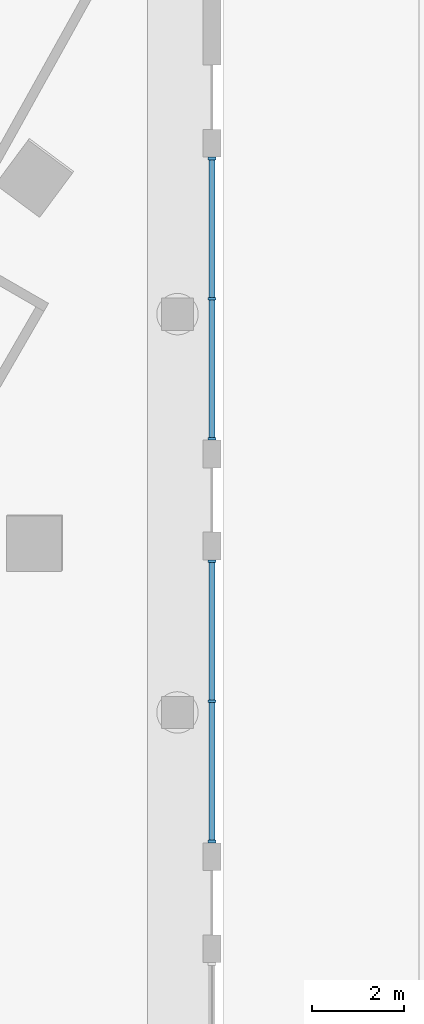
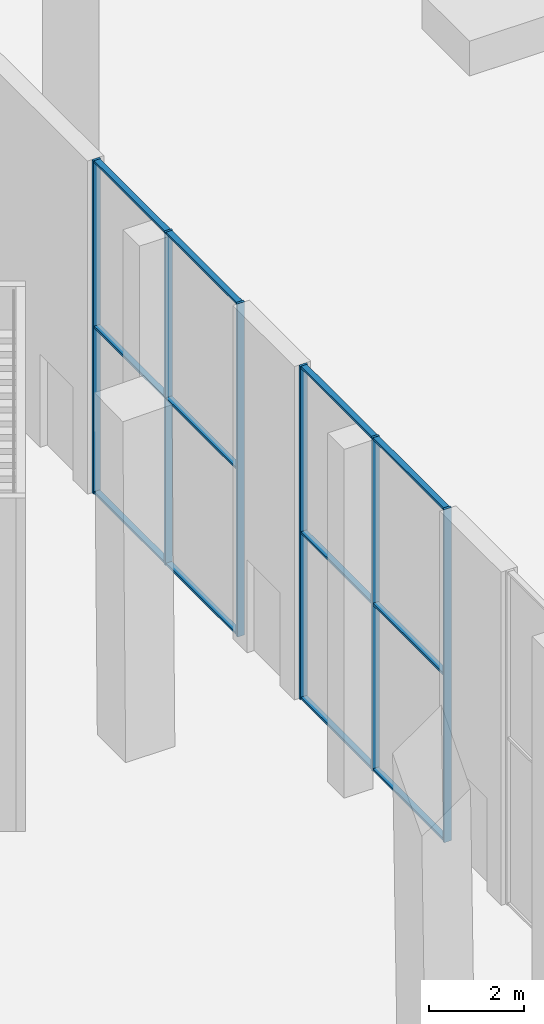
# One storey, part 18 of 63: 18 members, 2 elements without a shape of their own.
"""IFC4 building model written with IfcOpenShell, lengths in metres."""

from ifc_helpers import new_model, si_unit, direction, frame, origin, origin_2d, place, context, subcontext, project, spatial, rectangle, extrude, material, layer, layer_set, material_profile, profile_set, type_object, element, aggregate, save


model = new_model("IFC4")

# Units and contexts
model_context = context("Model", 3, precision=1e-05, world=origin(), true_north=direction((0.0, 1.0)))
body_context = subcontext(model_context, "Body", "Model", "MODEL_VIEW")
ifc_project = project(units=[si_unit("LENGTHUNIT", "METRE"), si_unit("AREAUNIT", "SQUARE_METRE"), si_unit("VOLUMEUNIT", "CUBIC_METRE"), si_unit("PLANEANGLEUNIT", "RADIAN"), si_unit("MASSUNIT", "GRAM", prefix="KILO")], contexts=[model_context])

# Site, building, storey
site_placement = place(None, origin())
site = spatial("IfcSite", under=ifc_project, at=site_placement, CompositionType="ELEMENT")
building_placement = place(site_placement, origin())
building = spatial("IfcBuilding", under=site, at=building_placement, Name="Jabali Bay Hotel Tower and Convention Centre", CompositionType="ELEMENT")
storey_placement = place(building_placement, origin())
storey = spatial("IfcBuildingStorey", under=building, at=storey_placement, Name="L00", CompositionType="ELEMENT", Elevation=0.0)

# Curtain wall, members
ifc_material_1 = material(Name="Aluminium and glass", Category="aluminium")
ifc_layer = layer(ifc_material_1, 0.179931640625)
ifc_layer_set = layer_set([ifc_layer], Name="Aluminium and glass")
curtain_wall_type = type_object("IfcCurtainWallType", Name="CW1 curtain wall", PredefinedType="NOTDEFINED", material=ifc_layer_set)
curtain_wall_1_placement = place(storey_placement, origin())
curtain_wall_1 = element("IfcCurtainWall", 1, at=curtain_wall_1_placement, inside=storey, type_object=curtain_wall_type, Name="CW1 curtain wall east face L00", PredefinedType="NOTDEFINED")
ifc_material_2 = material(Name="Aluminium", Category="aluminium")
ifc_material_profile_1 = material_profile(ifc_material_2, rectangle(XDim=0.179931640625, YDim=0.06005859375, at=origin_2d()), Name="CW1 mullion 60 x 180")
ifc_profile_set_1 = profile_set([ifc_material_profile_1], Name="Aluminium")
member_type_1 = type_object("IfcMemberType", Name="CW1 mullion 60 x 180", PredefinedType="MULLION", material=ifc_profile_set_1)
member_1_placement = place(storey_placement, frame((103.5, 104.912353515625, 0.0), z_axis=(0.0, 0.0, 1.0), x_axis=(1.0, 0.0, 0.0)))
member_1 = element("IfcMember", 2, at=member_1_placement, type_object=member_type_1, Name="CW1 mullion 1", PredefinedType="MULLION", context=body_context, shape_type="SweptSolid", body=[
    extrude(rectangle(XDim=0.179931640625, YDim=0.06005859375, at=origin_2d()), origin(), (0.0, 0.0, 1.0), 8.60009765625),
])
member_2_placement = place(storey_placement, frame((103.5, 101.86865234375, 0.0), z_axis=(0.0, 0.0, 1.0), x_axis=(1.0, 0.0, 0.0)))
member_2 = element("IfcMember", 3, at=member_2_placement, type_object=member_type_1, Name="CW1 mullion 2", PredefinedType="MULLION", context=body_context, shape_type="SweptSolid", body=[
    extrude(rectangle(XDim=0.179931640625, YDim=0.06005859375, at=origin_2d()), origin(), (0.0, 0.0, 1.0), 8.60009765625),
])
member_3_placement = place(storey_placement, frame((103.5, 98.824951171875, 0.0), z_axis=(0.0, 0.0, 1.0), x_axis=(1.0, 0.0, 0.0)))
member_3 = element("IfcMember", 4, at=member_3_placement, type_object=member_type_1, Name="CW1 mullion 3", PredefinedType="MULLION", context=body_context, shape_type="SweptSolid", body=[
    extrude(rectangle(XDim=0.179931640625, YDim=0.06005859375, at=origin_2d()), origin(), (0.0, 0.0, 1.0), 8.60009765625),
])

curtain_wall_2_placement = place(storey_placement, origin())
curtain_wall_2 = element("IfcCurtainWall", 5, at=curtain_wall_2_placement, inside=storey, type_object=curtain_wall_type, Name="CW1 curtain wall east face L00", PredefinedType="NOTDEFINED")
member_4_placement = place(storey_placement, frame((103.5, 113.65966796875, 0.0), z_axis=(0.0, 0.0, 1.0), x_axis=(1.0, 0.0, 0.0)))
member_4 = element("IfcMember", 6, at=member_4_placement, type_object=member_type_1, Name="CW1 mullion 1", PredefinedType="MULLION", context=body_context, shape_type="SweptSolid", body=[
    extrude(rectangle(XDim=0.179931640625, YDim=0.06005859375, at=origin_2d()), origin(), (0.0, 0.0, 1.0), 8.60009765625),
])
member_5_placement = place(storey_placement, frame((103.5, 110.615966796875, 0.0), z_axis=(0.0, 0.0, 1.0), x_axis=(1.0, 0.0, 0.0)))
member_5 = element("IfcMember", 7, at=member_5_placement, type_object=member_type_1, Name="CW1 mullion 2", PredefinedType="MULLION", context=body_context, shape_type="SweptSolid", body=[
    extrude(rectangle(XDim=0.179931640625, YDim=0.06005859375, at=origin_2d()), origin(), (0.0, 0.0, 1.0), 8.60009765625),
])
member_6_placement = place(storey_placement, frame((103.5, 107.572265625, 0.0), z_axis=(0.0, 0.0, 1.0), x_axis=(1.0, 0.0, 0.0)))
member_6 = element("IfcMember", 8, at=member_6_placement, type_object=member_type_1, Name="CW1 mullion 3", PredefinedType="MULLION", context=body_context, shape_type="SweptSolid", body=[
    extrude(rectangle(XDim=0.179931640625, YDim=0.06005859375, at=origin_2d()), origin(), (0.0, 0.0, 1.0), 8.60009765625),
])

# Member
ifc_material_profile_2 = material_profile(ifc_material_2, rectangle(XDim=0.139892578125, YDim=0.06005859375, at=origin_2d()), Name="CW1 transom 60 x 140")
ifc_profile_set_2 = profile_set([ifc_material_profile_2], Name="Aluminium")
member_type_2 = type_object("IfcMemberType", Name="CW1 transom 60 x 140", PredefinedType="USERDEFINED", material=ifc_profile_set_2)
member_7_placement = place(storey_placement, frame((103.5, 104.88232421875, 0.030029296875), z_axis=(0.0, -1.0, 0.0), x_axis=(1.0, 0.0, 0.0)))
member_7 = element("IfcMember", 9, at=member_7_placement, type_object=member_type_2, Name="CW1 transom 1.1", ObjectType="TRANSOM", PredefinedType="USERDEFINED", context=body_context, shape_type="SweptSolid", body=[
    extrude(rectangle(XDim=0.139892578125, YDim=0.06005859375, at=origin_2d()), origin(), (0.0, 0.0, 1.0), 2.983642578125),
])

member_8_placement = place(storey_placement, frame((103.5, 104.88232421875, 4.300048828125), z_axis=(0.0, -1.0, 0.0), x_axis=(1.0, 0.0, 0.0)))
member_8 = element("IfcMember", 10, at=member_8_placement, type_object=member_type_2, Name="CW1 transom 1.2", ObjectType="TRANSOM", PredefinedType="USERDEFINED", context=body_context, shape_type="SweptSolid", body=[
    extrude(rectangle(XDim=0.139892578125, YDim=0.06005859375, at=origin_2d()), origin(), (0.0, 0.0, 1.0), 2.983642578125),
])

member_9_placement = place(storey_placement, frame((103.5, 104.88232421875, 8.570068359375), z_axis=(0.0, -1.0, 0.0), x_axis=(1.0, 0.0, 0.0)))
member_9 = element("IfcMember", 11, at=member_9_placement, type_object=member_type_2, Name="CW1 transom 1.3", ObjectType="TRANSOM", PredefinedType="USERDEFINED", context=body_context, shape_type="SweptSolid", body=[
    extrude(rectangle(XDim=0.139892578125, YDim=0.06005859375, at=origin_2d()), origin(), (0.0, 0.0, 1.0), 2.983642578125),
])

member_10_placement = place(storey_placement, frame((103.5, 101.838623046875, 0.030029296875), z_axis=(0.0, -1.0, 0.0), x_axis=(1.0, 0.0, 0.0)))
member_10 = element("IfcMember", 12, at=member_10_placement, type_object=member_type_2, Name="CW1 transom 2.1", ObjectType="TRANSOM", PredefinedType="USERDEFINED", context=body_context, shape_type="SweptSolid", body=[
    extrude(rectangle(XDim=0.139892578125, YDim=0.06005859375, at=origin_2d()), origin(), (0.0, 0.0, 1.0), 2.983642578125),
])

member_11_placement = place(storey_placement, frame((103.5, 101.838623046875, 4.300048828125), z_axis=(0.0, -1.0, 0.0), x_axis=(1.0, 0.0, 0.0)))
member_11 = element("IfcMember", 13, at=member_11_placement, type_object=member_type_2, Name="CW1 transom 2.2", ObjectType="TRANSOM", PredefinedType="USERDEFINED", context=body_context, shape_type="SweptSolid", body=[
    extrude(rectangle(XDim=0.139892578125, YDim=0.06005859375, at=origin_2d()), origin(), (0.0, 0.0, 1.0), 2.983642578125),
])

member_12_placement = place(storey_placement, frame((103.5, 101.838623046875, 8.570068359375), z_axis=(0.0, -1.0, 0.0), x_axis=(1.0, 0.0, 0.0)))
member_12 = element("IfcMember", 14, at=member_12_placement, type_object=member_type_2, Name="CW1 transom 2.3", ObjectType="TRANSOM", PredefinedType="USERDEFINED", context=body_context, shape_type="SweptSolid", body=[
    extrude(rectangle(XDim=0.139892578125, YDim=0.06005859375, at=origin_2d()), origin(), (0.0, 0.0, 1.0), 2.983642578125),
])

aggregate(curtain_wall_1, [member_1, member_2, member_3, member_7, member_8, member_9, member_10, member_11, member_12])

member_13_placement = place(storey_placement, frame((103.5, 113.629638671875, 0.030029296875), z_axis=(0.0, -1.0, 0.0), x_axis=(1.0, 0.0, 0.0)))
member_13 = element("IfcMember", 15, at=member_13_placement, type_object=member_type_2, Name="CW1 transom 1.1", ObjectType="TRANSOM", PredefinedType="USERDEFINED", context=body_context, shape_type="SweptSolid", body=[
    extrude(rectangle(XDim=0.139892578125, YDim=0.06005859375, at=origin_2d()), origin(), (0.0, 0.0, 1.0), 2.983642578125),
])

member_14_placement = place(storey_placement, frame((103.5, 113.629638671875, 4.300048828125), z_axis=(0.0, -1.0, 0.0), x_axis=(1.0, 0.0, 0.0)))
member_14 = element("IfcMember", 16, at=member_14_placement, type_object=member_type_2, Name="CW1 transom 1.2", ObjectType="TRANSOM", PredefinedType="USERDEFINED", context=body_context, shape_type="SweptSolid", body=[
    extrude(rectangle(XDim=0.139892578125, YDim=0.06005859375, at=origin_2d()), origin(), (0.0, 0.0, 1.0), 2.983642578125),
])

member_15_placement = place(storey_placement, frame((103.5, 113.629638671875, 8.570068359375), z_axis=(0.0, -1.0, 0.0), x_axis=(1.0, 0.0, 0.0)))
member_15 = element("IfcMember", 17, at=member_15_placement, type_object=member_type_2, Name="CW1 transom 1.3", ObjectType="TRANSOM", PredefinedType="USERDEFINED", context=body_context, shape_type="SweptSolid", body=[
    extrude(rectangle(XDim=0.139892578125, YDim=0.06005859375, at=origin_2d()), origin(), (0.0, 0.0, 1.0), 2.983642578125),
])

member_16_placement = place(storey_placement, frame((103.5, 110.5859375, 0.030029296875), z_axis=(0.0, -1.0, 0.0), x_axis=(1.0, 0.0, 0.0)))
member_16 = element("IfcMember", 18, at=member_16_placement, type_object=member_type_2, Name="CW1 transom 2.1", ObjectType="TRANSOM", PredefinedType="USERDEFINED", context=body_context, shape_type="SweptSolid", body=[
    extrude(rectangle(XDim=0.139892578125, YDim=0.06005859375, at=origin_2d()), origin(), (0.0, 0.0, 1.0), 2.983642578125),
])

member_17_placement = place(storey_placement, frame((103.5, 110.5859375, 4.300048828125), z_axis=(0.0, -1.0, 0.0), x_axis=(1.0, 0.0, 0.0)))
member_17 = element("IfcMember", 19, at=member_17_placement, type_object=member_type_2, Name="CW1 transom 2.2", ObjectType="TRANSOM", PredefinedType="USERDEFINED", context=body_context, shape_type="SweptSolid", body=[
    extrude(rectangle(XDim=0.139892578125, YDim=0.06005859375, at=origin_2d()), origin(), (0.0, 0.0, 1.0), 2.983642578125),
])

member_18_placement = place(storey_placement, frame((103.5, 110.5859375, 8.570068359375), z_axis=(0.0, -1.0, 0.0), x_axis=(1.0, 0.0, 0.0)))
member_18 = element("IfcMember", 20, at=member_18_placement, type_object=member_type_2, Name="CW1 transom 2.3", ObjectType="TRANSOM", PredefinedType="USERDEFINED", context=body_context, shape_type="SweptSolid", body=[
    extrude(rectangle(XDim=0.139892578125, YDim=0.06005859375, at=origin_2d()), origin(), (0.0, 0.0, 1.0), 2.983642578125),
])

aggregate(curtain_wall_2, [member_4, member_5, member_6, member_13, member_14, member_15, member_16, member_17, member_18])

save(model, "model.ifc")
